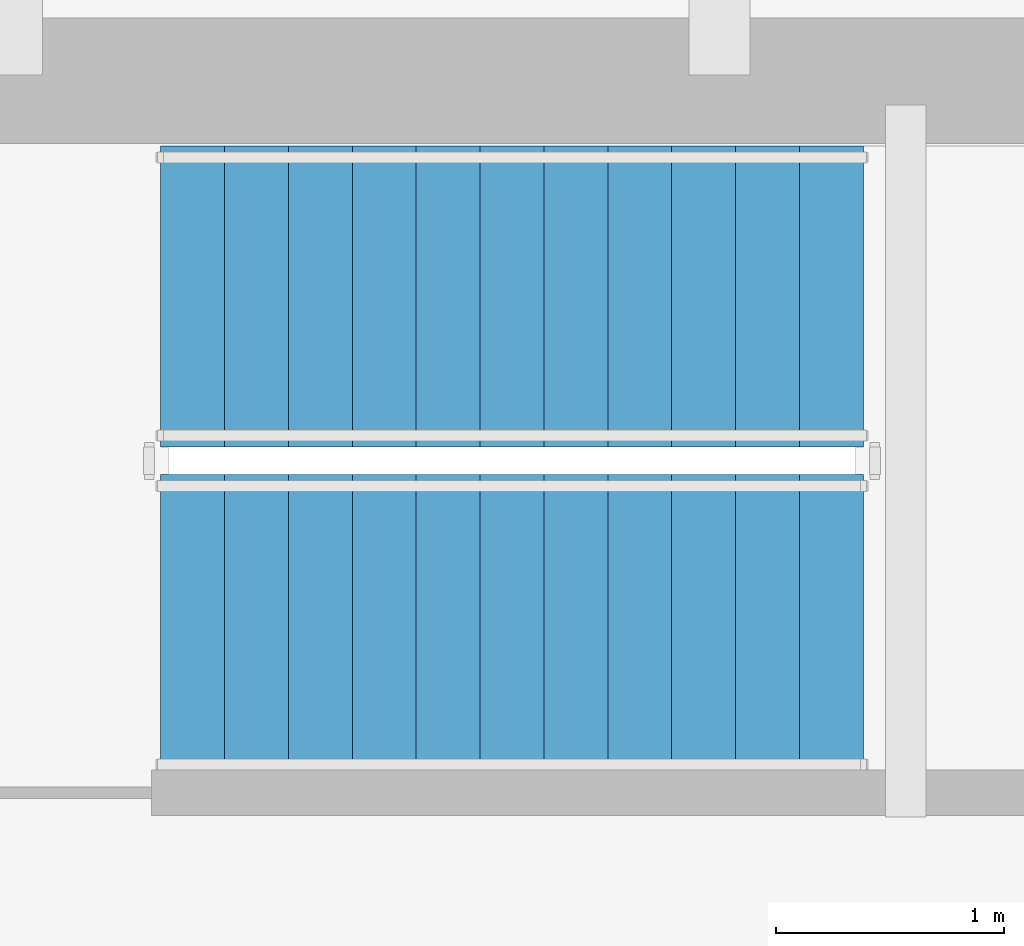
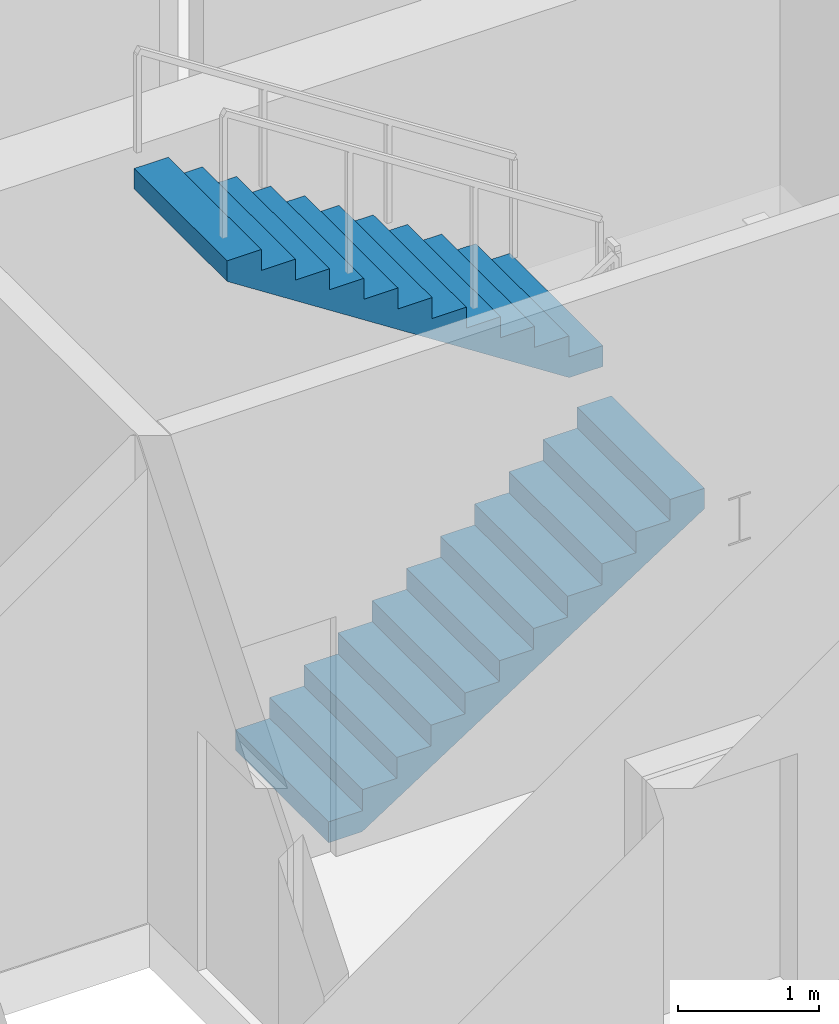
# One storey, part 5 of 7: 2 stair flights, 1 element without a shape of its own.
"""IFC4 building model written with IfcOpenShell, lengths in metres."""

import ifcopenshell
import ifcopenshell.guid

model = None  # the IFC model being written
_history = None  # IfcOwnerHistory: only IFC2X3 demands one
_inside = {}  # id of a spatial element -> (the spatial element, [elements in it])
_under = {}  # id of a project, library or spatial element -> (it, [spatial elements below it])
_declared = {}  # id of a project -> (the project, [libraries it declares])
_typed = {}  # id of a type object -> (the type object, [elements of that type])
_made_of = {}  # id of a material, layer set ... -> (it, [elements and type objects made of it])


def new_model(schema):
    """Start an empty IFC model of exactly this schema.

    Asked for "IFC4X3", IfcOpenShell would pick the latest addendum, in which some entities
    have other attributes; the version numbers below select the first issue.
    IFC2X3 requires an IfcOwnerHistory on every rooted entity: one is made here for all.
    """
    global model, _history
    if schema == "IFC4X3":
        model = ifcopenshell.file(schema_version=(4, 3, 0, 0))
    else:
        model = ifcopenshell.file(schema=schema)
    _inside.clear()
    _under.clear()
    _declared.clear()
    _typed.clear()
    _made_of.clear()
    _history = None
    if model.schema == "IFC2X3":
        org = make("IfcOrganization", Name="unknown")
        user = make(
            "IfcPersonAndOrganization",
            ThePerson=make("IfcPerson", FamilyName="unknown"),
            TheOrganization=org,
        )
        app = make(
            "IfcApplication",
            ApplicationDeveloper=org,
            Version="unknown",
            ApplicationFullName="unknown",
            ApplicationIdentifier="unknown",
        )
        _history = make(
            "IfcOwnerHistory",
            OwningUser=user,
            OwningApplication=app,
            ChangeAction="ADDED",
            CreationDate=0,
        )
    return model


def make(cls, **values):
    """One entity of the class cls with the attributes given. An attribute that is None is left unset."""
    return model.create_entity(
        cls, **{name: value for name, value in values.items() if value is not None}
    )


def rooted(cls, **values):
    """An entity with a GlobalId (a new one), such as an element, a storey or a relation."""
    return make(cls, GlobalId=ifcopenshell.guid.new(), OwnerHistory=_history, **values)


def si_unit(unit_type, name, prefix=None):
    """IfcSIUnit, for example si_unit("LENGTHUNIT", "METRE", prefix="MILLI")."""
    return make("IfcSIUnit", UnitType=unit_type, Prefix=prefix, Name=name)


def assignment(units):
    """IfcUnitAssignment: the units of a project."""
    return None if units is None else make("IfcUnitAssignment", Units=units)


def point(xyz):
    """IfcCartesianPoint."""
    return None if xyz is None else make("IfcCartesianPoint", Coordinates=xyz)


def direction(xyz):
    """IfcDirection."""
    return None if xyz is None else make("IfcDirection", DirectionRatios=xyz)


def frame(location, z_axis=None, x_axis=None):
    """IfcAxis2Placement3D, a coordinate frame: its origin and axes. An axis left out is left unset."""
    return make(
        "IfcAxis2Placement3D",
        Location=point(location),
        Axis=direction(z_axis),
        RefDirection=direction(x_axis),
    )


def origin():
    """The frame at (0, 0, 0) with its axes left unset."""
    return frame((0.0, 0.0, 0.0))


def place(relative_to, where):
    """IfcLocalPlacement: puts the frame where relative to a parent placement (None: the world)."""
    return make(
        "IfcLocalPlacement", PlacementRelTo=relative_to, RelativePlacement=where
    )


def context(
    kind, dimensions, precision=None, world=None, true_north=None, identifier=None
):
    """IfcGeometricRepresentationContext, for example the 3D "Model" context."""
    return make(
        "IfcGeometricRepresentationContext",
        ContextIdentifier=identifier,
        ContextType=kind,
        CoordinateSpaceDimension=dimensions,
        Precision=precision,
        WorldCoordinateSystem=world,
        TrueNorth=true_north,
    )


def subcontext(parent, identifier, kind, view, scale=None):
    """IfcGeometricRepresentationSubContext, for example "Body" below "Model"."""
    return make(
        "IfcGeometricRepresentationSubContext",
        ContextIdentifier=identifier,
        ContextType=kind,
        ParentContext=parent,
        TargetScale=scale,
        TargetView=view,
    )


def project(units=None, contexts=None):
    """IfcProject with its units and contexts."""
    return rooted(
        "IfcProject",
        Name="project",
        RepresentationContexts=contexts,
        UnitsInContext=assignment(units),
    )


def spatial(cls, under=None, at=None, **own):
    """A site, building, storey or space (cls), placed at a placement, below another one or the project."""
    s = rooted(cls, ObjectPlacement=at, **own)
    if under is not None:
        _under.setdefault(under.id(), (under, []))[1].append(s)
    return s


def polyline(points):
    """IfcPolyline through the points."""
    return make("IfcPolyline", Points=[point(p) for p in points])


def outline(outer, holes=None, kind="AREA"):
    """IfcArbitraryClosedProfileDef: a profile drawn as a closed curve; with holes, ...WithVoids."""
    if holes is None:
        return make("IfcArbitraryClosedProfileDef", ProfileType=kind, OuterCurve=outer)
    return make(
        "IfcArbitraryProfileDefWithVoids",
        ProfileType=kind,
        OuterCurve=outer,
        InnerCurves=holes,
    )


def extrude(swept, where, along, depth):
    """IfcExtrudedAreaSolid: the profile swept, set in the frame where, extruded along a direction by depth."""
    return make(
        "IfcExtrudedAreaSolid",
        SweptArea=swept,
        Position=where,
        ExtrudedDirection=direction(along),
        Depth=depth,
    )


def shape(context_of_items, identifier, shape_type, items):
    """IfcShapeRepresentation: the items that make up one representation, for example the "Body"."""
    return make(
        "IfcShapeRepresentation",
        ContextOfItems=context_of_items,
        RepresentationIdentifier=identifier,
        RepresentationType=shape_type,
        Items=items,
    )


def material(Name=None, Category=None):
    """IfcMaterial."""
    return make("IfcMaterial", Name=Name, Category=Category)


def made_of(thing, what):
    """Note that an element or type object is made of a material, layer set ...; save() writes the relation."""
    if what is not None:
        _made_of.setdefault(what.id(), (what, []))[1].append(thing)
    return thing


def type_object(cls, material=None, **own):
    """A type object (cls), such as IfcWallType, which elements share."""
    return made_of(rooted(cls, **own), material)


def element(
    cls,
    number,
    at=None,
    inside=None,
    cuts=None,
    type_object=None,
    material=None,
    context=None,
    identifier="Body",
    shape_type=None,
    held_by="IfcProductDefinitionShape",
    body=None,
    shapes=None,
    **own,
):
    """One element of the class cls, such as IfcWall. Its Tag is "e" and its number.

    at: its placement. inside: the storey or other place that contains it. cuts: it is an
    opening in that element (IfcRelVoidsElement). A single representation is given by context,
    identifier, shape_type and body (its items); several are given by shapes. held_by: the class
    of the entity that holds the representations. save() writes the other relations.
    """
    e = rooted(cls, Tag="e%d" % number, ObjectPlacement=at, **own)
    if body is not None:
        shapes = [shape(context, identifier, shape_type, body)]
    if shapes is not None:
        e.Representation = make(held_by, Representations=shapes)
    if inside is not None:
        _inside.setdefault(inside.id(), (inside, []))[1].append(e)
    if cuts is not None:
        rooted(
            "IfcRelVoidsElement", RelatingBuildingElement=cuts, RelatedOpeningElement=e
        )
    if type_object is not None:
        _typed.setdefault(type_object.id(), (type_object, []))[1].append(e)
    return made_of(e, material)


def aggregate(whole, parts):
    """IfcRelAggregates: a whole, such as a stair, and the parts it consists of."""
    return rooted("IfcRelAggregates", RelatingObject=whole, RelatedObjects=parts)


def save(model, path):
    """Write the relations noted so far, then the file.

    IfcRelAggregates (storeys below a building ...), IfcRelContainedInSpatialStructure (elements
    in a storey), IfcRelDefinesByType, IfcRelAssociatesMaterial and IfcRelDeclares: one each for
    every whole, place, type object, material and project.
    """
    for whole, parts in _under.values():
        aggregate(whole, parts)
    for where, things in _inside.values():
        rooted(
            "IfcRelContainedInSpatialStructure",
            RelatedElements=things,
            RelatingStructure=where,
        )
    for kind, things in _typed.values():
        rooted("IfcRelDefinesByType", RelatedObjects=things, RelatingType=kind)
    for what, things in _made_of.values():
        rooted("IfcRelAssociatesMaterial", RelatedObjects=things, RelatingMaterial=what)
    for by, libraries in _declared.values():
        rooted("IfcRelDeclares", RelatingContext=by, RelatedDefinitions=libraries)
    model.write(path)


model = new_model("IFC4")

# Units and contexts
model_context = context("Model", 3, precision=1e-05, world=origin(), true_north=direction((0.0, 1.0)))
body_context = subcontext(model_context, "Body", "Model", "MODEL_VIEW")
ifc_project = project(units=[si_unit("LENGTHUNIT", "METRE"), si_unit("AREAUNIT", "SQUARE_METRE"), si_unit("VOLUMEUNIT", "CUBIC_METRE"), si_unit("PLANEANGLEUNIT", "RADIAN"), si_unit("MASSUNIT", "GRAM", prefix="KILO")], contexts=[model_context])

# Site, building, storey
site_placement = place(None, origin())
site = spatial("IfcSite", under=ifc_project, at=site_placement, CompositionType="ELEMENT")
building_placement = place(site_placement, origin())
building = spatial("IfcBuilding", under=site, at=building_placement, Name="Qhalaya Broadcast Tower", CompositionType="ELEMENT")
storey_placement = place(building_placement, frame((0.0, 0.0, 108.449951171875)))
storey = spatial("IfcBuildingStorey", under=building, at=storey_placement, Name="L31", CompositionType="ELEMENT", Elevation=108.449951171875)

# Stair, stair flights
ifc_material_1 = material(Name="Concrete C40/50", Category="concrete")
stair_type = type_object("IfcStairType", Name="Protected Dogleg Core Stair 4200", PredefinedType="TWO_STRAIGHT_RUN_STAIR", material=ifc_material_1)
stair_placement = place(storey_placement, origin())
stair = element("IfcStair", 1, at=stair_placement, inside=storey, type_object=stair_type, Name="L31 North Core Exit Stair ST-1", PredefinedType="TWO_STRAIGHT_RUN_STAIR")
ifc_material_2 = material(Name="Precast Concrete C40/50", Category="concrete")
stair_flight_type = type_object("IfcStairFlightType", Name="Precast Concrete Stair Flight 4200", PredefinedType="STRAIGHT", material=ifc_material_2)
stair_flight_1_placement = place(storey_placement, frame((3.75, 7.5400390625, 0.0), z_axis=(0.0, 0.0, 1.0), x_axis=(1.0, 0.0, 0.0)))
stair_flight_1 = element("IfcStairFlight", 2, at=stair_flight_1_placement, type_object=stair_flight_type, Name="ST-1 flight 1", NumberOfRisers=12, NumberOfTreads=11, PredefinedType="STRAIGHT", RiserHeight=0.18125, TreadLength=0.28, context=body_context, shape_type="SweptSolid", body=[
    extrude(outline(polyline([(0.0, 0.0), (0.0, 0.18115234375), (0.280029296875, 0.18115234375), (0.280029296875, 0.362548828125), (0.56005859375, 0.362548828125), (0.56005859375, 0.543701171875), (0.840087890625, 0.543701171875), (0.840087890625, 0.72509765625), (1.1201171875, 0.72509765625), (1.1201171875, 0.90625), (1.39990234375, 0.90625), (1.39990234375, 1.08740234375), (1.679931640625, 1.08740234375), (1.679931640625, 1.268798828125), (1.9599609375, 1.268798828125), (1.9599609375, 1.449951171875), (2.239990234375, 1.449951171875), (2.239990234375, 1.63134765625), (2.52001953125, 1.63134765625), (2.52001953125, 1.8125), (2.800048828125, 1.8125), (2.800048828125, 1.99365234375), (3.080078125, 1.99365234375), (3.080078125, 2.175048828125), (3.080078125, 1.815185546875), (0.27587890625, 0.0), (0.0, 0.0)])), frame((0.0, 0.66015625, 0.0), z_axis=(0.0, -1.0, 0.0), x_axis=(1.0, 0.0, 0.0)), (0.0, 0.0, 1.0), 1.320068359375),
])
stair_flight_2_placement = place(storey_placement, frame((6.830078125, 8.97998046875, 2.175048828125), z_axis=(0.0, 0.0, 1.0), x_axis=(-1.0, 0.0, 0.0)))
stair_flight_2 = element("IfcStairFlight", 3, at=stair_flight_2_placement, type_object=stair_flight_type, Name="ST-1 flight 2", NumberOfRisers=12, NumberOfTreads=11, PredefinedType="STRAIGHT", RiserHeight=0.18125, TreadLength=0.28, context=body_context, shape_type="SweptSolid", body=[
    extrude(outline(polyline([(0.0, 0.0), (0.0, 0.18115234375), (0.280029296875, 0.18115234375), (0.280029296875, 0.362548828125), (0.56005859375, 0.362548828125), (0.56005859375, 0.543701171875), (0.840087890625, 0.543701171875), (0.840087890625, 0.72509765625), (1.1201171875, 0.72509765625), (1.1201171875, 0.90625), (1.39990234375, 0.90625), (1.39990234375, 1.08740234375), (1.679931640625, 1.08740234375), (1.679931640625, 1.268798828125), (1.9599609375, 1.268798828125), (1.9599609375, 1.449951171875), (2.239990234375, 1.449951171875), (2.239990234375, 1.63134765625), (2.52001953125, 1.63134765625), (2.52001953125, 1.8125), (2.800048828125, 1.8125), (2.800048828125, 1.99365234375), (3.080078125, 1.99365234375), (3.080078125, 2.175048828125), (3.080078125, 1.815185546875), (0.27587890625, 0.0), (0.0, 0.0)])), frame((0.0, 0.66015625, 0.0), z_axis=(0.0, -1.0, 0.0), x_axis=(1.0, 0.0, 0.0)), (0.0, 0.0, 1.0), 1.320068359375),
])
aggregate(stair, [stair_flight_1, stair_flight_2])

save(model, "model.ifc")
